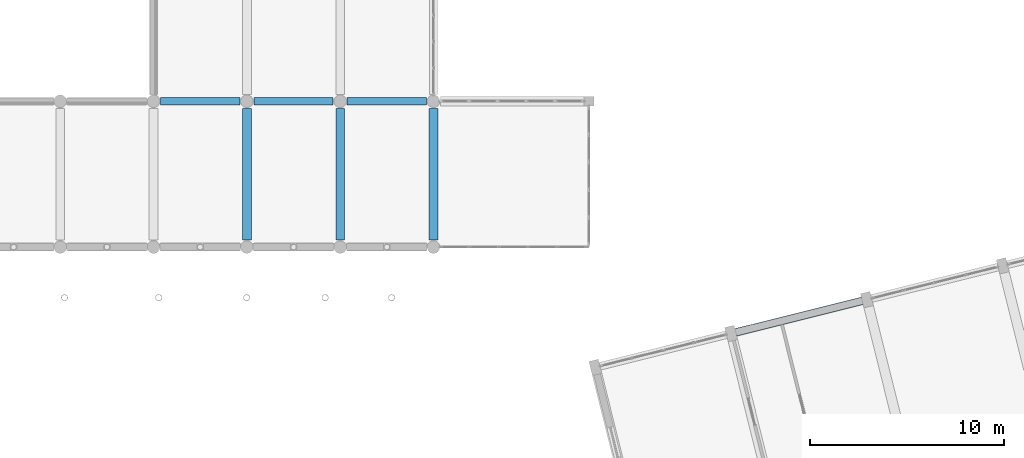
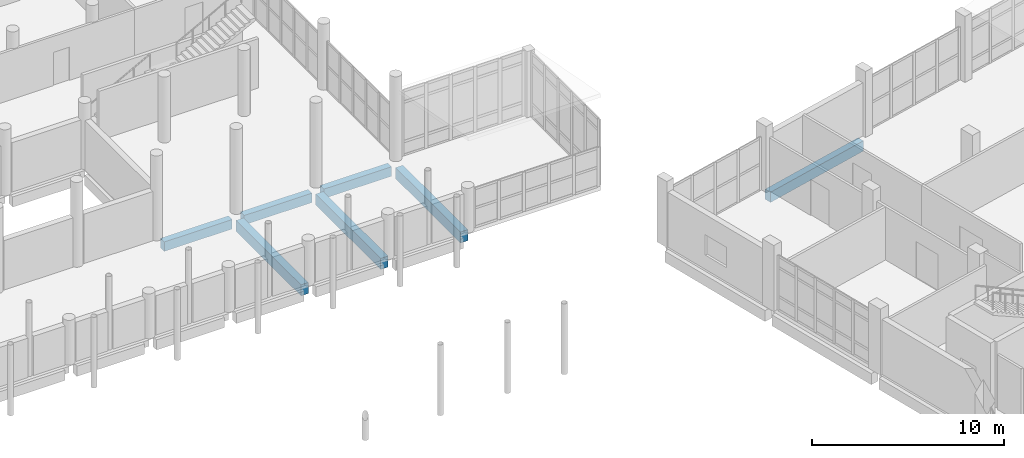
# One storey, part 60 of 164: 7 beams.
"""IFC4 building model written with IfcOpenShell, lengths in metres."""

from ifc_helpers import new_model, si_unit, direction, frame, origin, origin_2d, place, context, subcontext, project, spatial, rectangle, extrude, material, material_profile, profile_set, type_object, element, save


model = new_model("IFC4")

# Units and contexts
model_context = context("Model", 3, precision=1e-05, world=origin(), true_north=direction((0.0, 1.0)))
body_context = subcontext(model_context, "Body", "Model", "MODEL_VIEW")
ifc_project = project(units=[si_unit("LENGTHUNIT", "METRE"), si_unit("AREAUNIT", "SQUARE_METRE"), si_unit("VOLUMEUNIT", "CUBIC_METRE"), si_unit("PLANEANGLEUNIT", "RADIAN"), si_unit("MASSUNIT", "GRAM", prefix="KILO")], contexts=[model_context])

# Site, building, storey
site_placement = place(None, origin())
site = spatial("IfcSite", under=ifc_project, at=site_placement, CompositionType="ELEMENT")
building_placement = place(site_placement, origin())
building = spatial("IfcBuilding", under=site, at=building_placement, Name="Mawjan Specialist Oncology Clinic", CompositionType="ELEMENT")
storey_placement = place(building_placement, frame((0.0, 0.0, 5.0)))
storey = spatial("IfcBuildingStorey", under=building, at=storey_placement, Name="L01", CompositionType="ELEMENT", Elevation=5.0)

# Beams
ifc_material_1 = material(Name="Concrete C40/50", Category="concrete")
ifc_material_profile_1 = material_profile(ifc_material_1, rectangle(XDim=0.39990234375, YDim=0.60009765625, at=origin_2d()), Name="RC BM 400x600", Category="concrete")
ifc_profile_set_1 = profile_set([ifc_material_profile_1], Name="Concrete C40/50")
beam_type_1 = type_object("IfcBeamType", Name="BM-400x600", PredefinedType="BEAM", material=ifc_profile_set_1)
for number, where, z_axis, x_axis, name in (
    (1, (93.9599609375, 53.300048828125, -0.60009765625), (1.0, 0.0, 0.0), (0.0, 1.0, 0.0), "L01 Collector Beam BM-L01-0287"),
    (2, (98.760009765625, 53.300048828125, -0.60009765625), (1.0, 0.0, 0.0), (0.0, 1.0, 0.0), "L01 Collector Beam BM-L01-0288"),
):
    element("IfcBeam", number, at=place(storey_placement, frame(where, z_axis=z_axis, x_axis=x_axis)), inside=storey, type_object=beam_type_1, Name=name, PredefinedType="BEAM", context=body_context, shape_type="SweptSolid", body=[
        extrude(rectangle(XDim=0.39990234375, YDim=0.60009765625, at=origin_2d()), origin(), (0.0, 0.0, 1.0), 4.080078125),
    ])
beam_1_placement = place(storey_placement, frame((103.56005859375, 53.300048828125, -0.60009765625), z_axis=(1.0, 0.0, 0.0), x_axis=(0.0, 1.0, 0.0)))
element("IfcBeam", 3, at=beam_1_placement, inside=storey, type_object=beam_type_1, Name="L01 Collector Beam BM-L01-0289", PredefinedType="BEAM", context=body_context, shape_type="SweptSolid", body=[
    extrude(rectangle(XDim=0.39990234375, YDim=0.60009765625, at=origin_2d()), origin(), (0.0, 0.0, 1.0), 4.079833984375),
])
ifc_material_2 = material(Name="Concrete C40/50", Category="concrete")
ifc_material_profile_2 = material_profile(ifc_material_2, rectangle(XDim=0.449951171875, YDim=0.699951171875, at=origin_2d()), Name="RC BM 450x700", Category="concrete")
ifc_profile_set_2 = profile_set([ifc_material_profile_2], Name="Concrete C40/50")
beam_type_2 = type_object("IfcBeamType", Name="BM-450x700", PredefinedType="BEAM", material=ifc_profile_set_2)
for number, where, z_axis, x_axis, name in (
    (4, (98.39990234375, 46.159912109375, -0.64990234375), (0.0, 1.0, 0.0), (-1.0, 0.0, 0.0), "L01 Collector Beam BM-L01-0543"),
    (5, (103.199951171875, 46.159912109375, -0.64990234375), (0.0, 1.0, 0.0), (-1.0, 0.0, 0.0), "L01 Collector Beam BM-L01-0550"),
    (6, (108.0, 46.159912109375, -0.64990234375), (0.0, 1.0, 0.0), (-1.0, 0.0, 0.0), "L01 Collector Beam BM-L01-0557"),
):
    element("IfcBeam", number, at=place(storey_placement, frame(where, z_axis=z_axis, x_axis=x_axis)), inside=storey, type_object=beam_type_2, Name=name, PredefinedType="BEAM", context=body_context, shape_type="SweptSolid", body=[
        extrude(rectangle(XDim=0.449951171875, YDim=0.699951171875, at=origin_2d()), origin(), (0.0, 0.0, 1.0), 6.780029296875),
    ])
ifc_material_3 = material(Name="Concrete C45/55", Category="concrete")
ifc_material_profile_3 = material_profile(ifc_material_3, rectangle(XDim=0.39990234375, YDim=0.64990234375, at=origin_2d()), Name="RC BM 400x650", Category="concrete")
ifc_profile_set_3 = profile_set([ifc_material_profile_3], Name="Concrete C45/55")
beam_type_3 = type_object("IfcBeamType", Name="SP-400x650", PredefinedType="SPANDREL", material=ifc_profile_set_3)
beam_2_placement = place(storey_placement, frame((123.537353515625, 41.410400390625, -0.625), z_axis=(0.970293819569, 0.241929542854, 0.0), x_axis=(-0.241929542854, 0.970293819569, 0.0)))
element("IfcBeam", 7, at=beam_2_placement, inside=storey, type_object=beam_type_3, Name="L01 Spandrel Beam BM-L01-0609", PredefinedType="SPANDREL", context=body_context, shape_type="SweptSolid", body=[
    extrude(rectangle(XDim=0.39990234375, YDim=0.64990234375, at=origin_2d()), origin(), (0.0, 0.0, 1.0), 6.72998046875),
])

save(model, "model.ifc")
